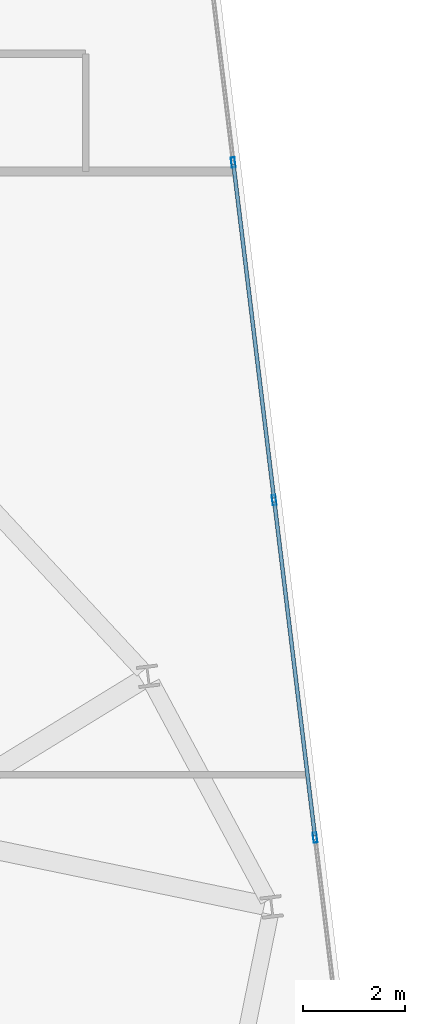
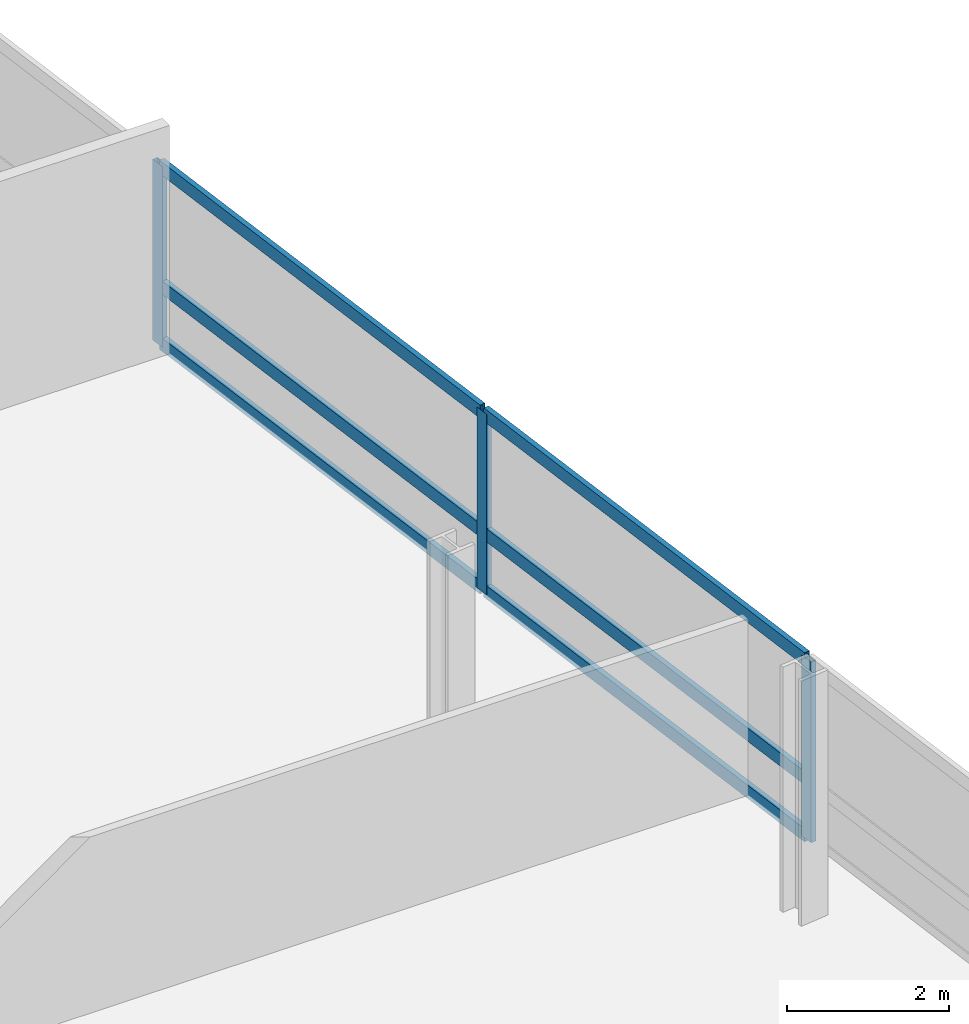
# One storey, part 12 of 24: 9 members, 1 element without a shape of its own.
"""IFC4 building model written with IfcOpenShell, lengths in metres."""

from ifc_helpers import new_model, si_unit, direction, frame, origin, origin_2d, place, context, subcontext, project, spatial, hollow_rectangle, extrude, material, layer, layer_set, material_profile, profile_set, type_object, element, aggregate, save


model = new_model("IFC4")

# Units and contexts
model_context = context("Model", 3, precision=1e-05, world=origin(), true_north=direction((0.0, 1.0)))
body_context = subcontext(model_context, "Body", "Model", "MODEL_VIEW")
ifc_project = project(units=[si_unit("LENGTHUNIT", "METRE"), si_unit("AREAUNIT", "SQUARE_METRE"), si_unit("VOLUMEUNIT", "CUBIC_METRE"), si_unit("PLANEANGLEUNIT", "RADIAN"), si_unit("MASSUNIT", "GRAM", prefix="KILO")], contexts=[model_context])

# Site, building, storey
site_placement = place(None, origin())
site = spatial("IfcSite", under=ifc_project, at=site_placement, CompositionType="ELEMENT")
building_placement = place(site_placement, origin())
building = spatial("IfcBuilding", under=site, at=building_placement, Name="Varnelok Gate Tower", CompositionType="ELEMENT")
storey_placement = place(building_placement, frame((0.0, 0.0, 196.800048828125)))
storey = spatial("IfcBuildingStorey", under=building, at=storey_placement, Name="L50", CompositionType="ELEMENT", Elevation=196.800048828125)

# Curtain wall, members
ifc_material = material(Name="Anodized Aluminum Alloy 6063-T6", Category="aluminium")
ifc_layer = layer(ifc_material, 0.179931640625)
ifc_layer_set = layer_set([ifc_layer], Name="Anodized Aluminum Alloy 6063-T6")
curtain_wall_type = type_object("IfcCurtainWallType", Name="CW4-RESIDENCE-VISION", PredefinedType="USERDEFINED", material=ifc_layer_set)
curtain_wall_placement = place(storey_placement, origin())
curtain_wall = element("IfcCurtainWall", 1, at=curtain_wall_placement, inside=storey, type_object=curtain_wall_type, Name="L50 East End Vision Curtain Wall", ObjectType="UNITISED CURTAIN WALL", PredefinedType="USERDEFINED")
ifc_material_profile_1 = material_profile(ifc_material, hollow_rectangle(XDim=0.074951171875, YDim=0.199951171875, WallThickness=0.00390625, at=origin_2d()), Name="ALU200X75X4")
ifc_profile_set_1 = profile_set([ifc_material_profile_1], Name="Anodized Aluminum Alloy 6063-T6")
member_type_1 = type_object("IfcMemberType", Name="CW-MULL-200", PredefinedType="MULLION", material=ifc_profile_set_1)
member_1_placement = place(storey_placement, frame((72.898681640625, 39.478515625, 0.0), z_axis=(0.0, 0.0, 1.0), x_axis=(0.992732188751, 0.120344511371, 0.0)))
member_1 = element("IfcMember", 2, at=member_1_placement, type_object=member_type_1, Name="CW4 mullion 2", PredefinedType="MULLION", context=body_context, shape_type="SweptSolid", body=[
    extrude(hollow_rectangle(XDim=0.074951171875, YDim=0.199951171875, WallThickness=0.00390625, at=origin_2d()), origin(), (0.0, 0.0, 1.0), 2.72998046875),
])
member_2_placement = place(storey_placement, frame((73.702392578125, 32.846923828125, 0.0), z_axis=(0.0, 0.0, 1.0), x_axis=(0.992732188751, 0.120344511371, 0.0)))
member_2 = element("IfcMember", 3, at=member_2_placement, type_object=member_type_1, Name="CW4 mullion 3", PredefinedType="MULLION", context=body_context, shape_type="SweptSolid", body=[
    extrude(hollow_rectangle(XDim=0.074951171875, YDim=0.199951171875, WallThickness=0.00390625, at=origin_2d()), origin(), (0.0, 0.0, 1.0), 2.72998046875),
])
member_3_placement = place(storey_placement, frame((74.50634765625, 26.215576171875, 0.0), z_axis=(0.0, 0.0, 1.0), x_axis=(0.992732188751, 0.120344511371, 0.0)))
member_3 = element("IfcMember", 4, at=member_3_placement, type_object=member_type_1, Name="CW4 mullion 4", PredefinedType="MULLION", context=body_context, shape_type="SweptSolid", body=[
    extrude(hollow_rectangle(XDim=0.074951171875, YDim=0.199951171875, WallThickness=0.00390625, at=origin_2d()), origin(), (0.0, 0.0, 1.0), 2.72998046875),
])
ifc_material_profile_2 = material_profile(ifc_material, hollow_rectangle(XDim=0.074951171875, YDim=0.199951171875, WallThickness=0.00390625, at=origin_2d()), Name="ALU200X75X4")
ifc_profile_set_2 = profile_set([ifc_material_profile_2], Name="Anodized Aluminum Alloy 6063-T6")
member_type_2 = type_object("IfcMemberType", Name="CW-TRAN-200", PredefinedType="USERDEFINED", material=ifc_profile_set_2)
member_4_placement = place(storey_placement, frame((72.903076171875, 39.441162109375, 0.037353515625), z_axis=(0.120353445289, -0.992731105691, 0.0), x_axis=(0.992731105691, 0.120353445289, 0.0)))
member_4 = element("IfcMember", 5, at=member_4_placement, type_object=member_type_2, Name="CW4 transom 2.1", ObjectType="TRANSOM", PredefinedType="USERDEFINED", context=body_context, shape_type="SweptSolid", body=[
    extrude(hollow_rectangle(XDim=0.074951171875, YDim=0.199951171875, WallThickness=0.00390625, at=origin_2d()), origin(), (0.0, 0.0, 1.0), 6.60498046875),
])
member_5_placement = place(storey_placement, frame((72.903076171875, 39.441162109375, 0.89990234375), z_axis=(0.120353445289, -0.992731105691, 0.0), x_axis=(0.992731105691, 0.120353445289, 0.0)))
member_5 = element("IfcMember", 6, at=member_5_placement, type_object=member_type_2, Name="CW4 transom 2.2", ObjectType="TRANSOM", PredefinedType="USERDEFINED", context=body_context, shape_type="SweptSolid", body=[
    extrude(hollow_rectangle(XDim=0.074951171875, YDim=0.199951171875, WallThickness=0.00390625, at=origin_2d()), origin(), (0.0, 0.0, 1.0), 6.60498046875),
])
member_6_placement = place(storey_placement, frame((72.903076171875, 39.441162109375, 2.6923828125), z_axis=(0.120353445289, -0.992731105691, 0.0), x_axis=(0.992731105691, 0.120353445289, 0.0)))
member_6 = element("IfcMember", 7, at=member_6_placement, type_object=member_type_2, Name="CW4 transom 2.3", ObjectType="TRANSOM", PredefinedType="USERDEFINED", context=body_context, shape_type="SweptSolid", body=[
    extrude(hollow_rectangle(XDim=0.074951171875, YDim=0.199951171875, WallThickness=0.00390625, at=origin_2d()), origin(), (0.0, 0.0, 1.0), 6.60498046875),
])
member_7_placement = place(storey_placement, frame((73.70703125, 32.809814453125, 0.037353515625), z_axis=(0.120349029092, -0.992731641078, 0.0), x_axis=(0.992731641078, 0.120349029092, 0.0)))
member_7 = element("IfcMember", 8, at=member_7_placement, type_object=member_type_2, Name="CW4 transom 3.1", ObjectType="TRANSOM", PredefinedType="USERDEFINED", context=body_context, shape_type="SweptSolid", body=[
    extrude(hollow_rectangle(XDim=0.074951171875, YDim=0.199951171875, WallThickness=0.00390625, at=origin_2d()), origin(), (0.0, 0.0, 1.0), 6.605224609375),
])
member_8_placement = place(storey_placement, frame((73.70703125, 32.809814453125, 0.89990234375), z_axis=(0.120349029092, -0.992731641078, 0.0), x_axis=(0.992731641078, 0.120349029092, 0.0)))
member_8 = element("IfcMember", 9, at=member_8_placement, type_object=member_type_2, Name="CW4 transom 3.2", ObjectType="TRANSOM", PredefinedType="USERDEFINED", context=body_context, shape_type="SweptSolid", body=[
    extrude(hollow_rectangle(XDim=0.074951171875, YDim=0.199951171875, WallThickness=0.00390625, at=origin_2d()), origin(), (0.0, 0.0, 1.0), 6.605224609375),
])
member_9_placement = place(storey_placement, frame((73.70703125, 32.809814453125, 2.6923828125), z_axis=(0.120349029092, -0.992731641078, 0.0), x_axis=(0.992731641078, 0.120349029092, 0.0)))
member_9 = element("IfcMember", 10, at=member_9_placement, type_object=member_type_2, Name="CW4 transom 3.3", ObjectType="TRANSOM", PredefinedType="USERDEFINED", context=body_context, shape_type="SweptSolid", body=[
    extrude(hollow_rectangle(XDim=0.074951171875, YDim=0.199951171875, WallThickness=0.00390625, at=origin_2d()), origin(), (0.0, 0.0, 1.0), 6.605224609375),
])
aggregate(curtain_wall, [member_1, member_2, member_3, member_4, member_5, member_6, member_7, member_8, member_9])

save(model, "model.ifc")
